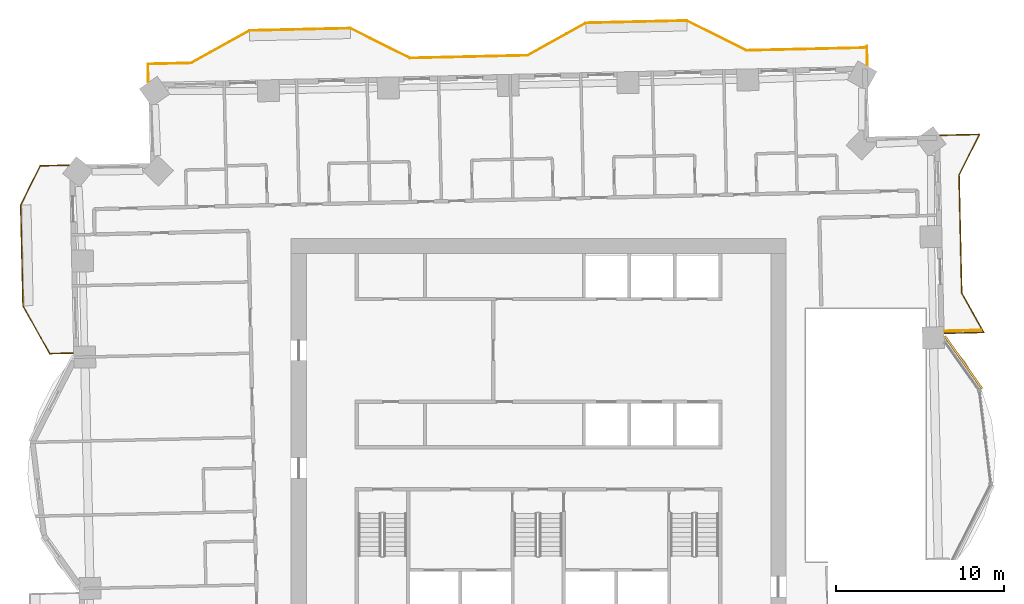
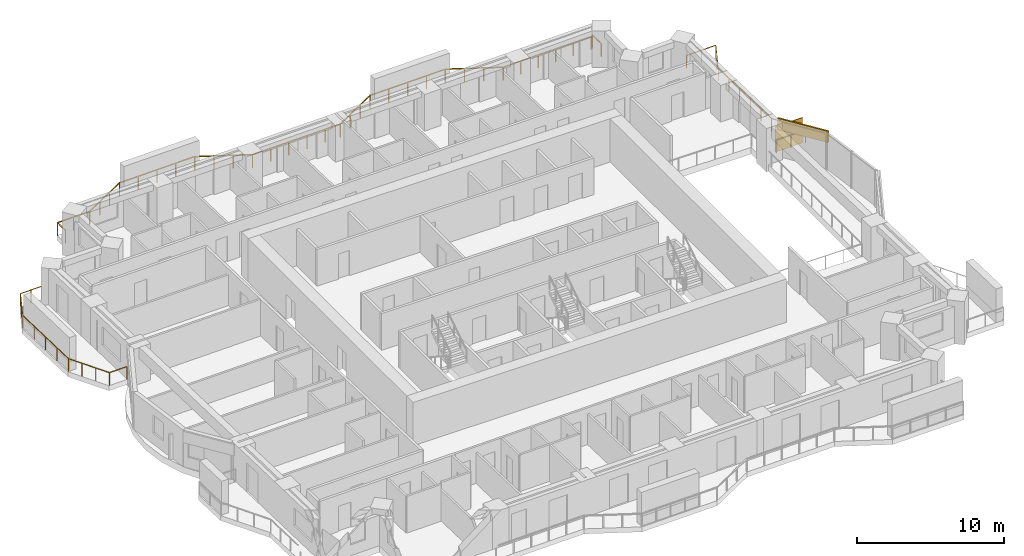
# One storey, part 16 of 16: 3 railings, 1 covering, 1 shading device.
"""IFC4 building model written with IfcOpenShell, lengths in metres."""

from ifc_helpers import new_model, si_unit, direction, frame, frame_2d, origin, origin_2d, place, context, subcontext, project, spatial, rectangle, extrude, material, layer, layer_set, type_object, element, save


model = new_model("IFC4")

# Units and contexts
model_context = context("Model", 3, precision=1e-05, world=origin(), true_north=direction((0.0, 1.0)))
body_context = subcontext(model_context, "Body", "Model", "MODEL_VIEW")
ifc_project = project(units=[si_unit("LENGTHUNIT", "METRE"), si_unit("AREAUNIT", "SQUARE_METRE"), si_unit("VOLUMEUNIT", "CUBIC_METRE"), si_unit("PLANEANGLEUNIT", "RADIAN"), si_unit("MASSUNIT", "GRAM", prefix="KILO")], contexts=[model_context])

# Site, building, storey
site_placement = place(None, origin())
site = spatial("IfcSite", under=ifc_project, at=site_placement, CompositionType="ELEMENT")
building_placement = place(site_placement, origin())
building = spatial("IfcBuilding", under=site, at=building_placement, Name="Mangrove Gate Tower", CompositionType="ELEMENT")
storey_placement = place(building_placement, frame((0.0, 0.0, 140.89990234375)))
storey = spatial("IfcBuildingStorey", under=building, at=storey_placement, Name="L35", CompositionType="ELEMENT", Elevation=140.89990234375)

# Railings
ifc_material_1 = material(Name="Stainless steel grade 316 with laminated glass infill", Category="steel")
railing_type = type_object("IfcRailingType", Name="Balcony guard 1100", PredefinedType="GUARDRAIL", material=ifc_material_1)
railing_1_placement = place(storey_placement, frame((24.14404296875, 6.06103515625, 0.0)))
element("IfcRailing", 1, at=railing_1_placement, inside=storey, type_object=railing_type, Name="GUARD L35 E2", PredefinedType="GUARDRAIL", context=body_context, shape_type="SweptSolid", body=[
    extrude(rectangle(XDim=0.048095703125, YDim=0.048095703125, at=origin_2d()), frame((0.0, 0.0, 1.076171875), z_axis=(0.999738009607, 0.022889127251, 0.0), x_axis=(-0.022889127251, 0.999738009607, 0.0)), (0.0, 0.0, 1.0), 2.314453125),
    extrude(rectangle(XDim=0.048095703125, YDim=0.048095703125, at=origin_2d()), frame((2.31396484375, 0.052978515625, 1.076171875), z_axis=(-0.487163004485, 0.873311059738, 0.0), x_axis=(-0.873311059738, -0.487163004485, 0.0)), (0.0, 0.0, 1.0), 2.68505859375),
    extrude(rectangle(XDim=0.048095703125, YDim=0.048095703125, at=origin_2d()), frame((1.005859375, 2.39794921875, 1.076171875), z_axis=(-0.022702393474, 0.999742267452, 0.0), x_axis=(-0.999742267452, -0.022702393474, 0.0)), (0.0, 0.0, 1.0), 7.000732421875),
    extrude(rectangle(XDim=0.048095703125, YDim=0.048095703125, at=origin_2d()), frame((0.846923828125, 9.39697265625, 1.076171875), z_axis=(0.447249569365, 0.894409203163, 0.0), x_axis=(-0.894409203163, 0.447249569365, 0.0)), (0.0, 0.0, 1.0), 2.714599609375),
    extrude(rectangle(XDim=0.048095703125, YDim=0.048095703125, at=origin_2d()), frame((2.06103515625, 11.824951171875, 1.076171875), z_axis=(-0.999741185646, -0.022749982937, 0.0), x_axis=(0.022749982937, -0.999741185646, 0.0)), (0.0, 0.0, 1.0), 2.32861328125),
    extrude(rectangle(XDim=0.0419921875, YDim=0.0419921875, at=origin_2d()), origin(), (0.0, 0.0, 1.0), 1.052001953125),
    extrude(rectangle(XDim=0.0419921875, YDim=0.0419921875, at=origin_2d()), frame((1.156982421875, 0.0263671875, 0.0)), (0.0, 0.0, 1.0), 1.052001953125),
    extrude(rectangle(XDim=0.0419921875, YDim=0.0419921875, at=origin_2d()), frame((2.31396484375, 0.052978515625, 0.0)), (0.0, 0.0, 1.0), 1.052001953125),
    extrude(rectangle(XDim=0.0419921875, YDim=0.0419921875, at=origin_2d()), frame((1.659912109375, 1.2255859375, 0.0)), (0.0, 0.0, 1.0), 1.052001953125),
    extrude(rectangle(XDim=0.0419921875, YDim=0.0419921875, at=origin_2d()), frame((1.005859375, 2.39794921875, 0.0)), (0.0, 0.0, 1.0), 1.052001953125),
    extrude(rectangle(XDim=0.0419921875, YDim=0.0419921875, at=origin_2d()), frame((0.97412109375, 3.7978515625, 0.0)), (0.0, 0.0, 1.0), 1.052001953125),
    extrude(rectangle(XDim=0.0419921875, YDim=0.0419921875, at=origin_2d()), frame((0.9423828125, 5.197509765625, 0.0)), (0.0, 0.0, 1.0), 1.052001953125),
    extrude(rectangle(XDim=0.0419921875, YDim=0.0419921875, at=origin_2d()), frame((0.910400390625, 6.597412109375, 0.0)), (0.0, 0.0, 1.0), 1.052001953125),
    extrude(rectangle(XDim=0.0419921875, YDim=0.0419921875, at=origin_2d()), frame((0.878662109375, 7.9970703125, 0.0)), (0.0, 0.0, 1.0), 1.052001953125),
    extrude(rectangle(XDim=0.0419921875, YDim=0.0419921875, at=origin_2d()), frame((0.846923828125, 9.39697265625, 0.0)), (0.0, 0.0, 1.0), 1.052001953125),
    extrude(rectangle(XDim=0.0419921875, YDim=0.0419921875, at=origin_2d()), frame((1.4541015625, 10.61083984375, 0.0)), (0.0, 0.0, 1.0), 1.052001953125),
    extrude(rectangle(XDim=0.0419921875, YDim=0.0419921875, at=origin_2d()), frame((2.06103515625, 11.824951171875, 0.0)), (0.0, 0.0, 1.0), 1.052001953125),
    extrude(rectangle(XDim=0.0419921875, YDim=0.0419921875, at=origin_2d()), frame((0.89697265625, 11.79833984375, 0.0)), (0.0, 0.0, 1.0), 1.052001953125),
    extrude(rectangle(XDim=0.0419921875, YDim=0.0419921875, at=origin_2d()), frame((-0.26708984375, 11.77197265625, 0.0)), (0.0, 0.0, 1.0), 1.052001953125),
])
railing_2_placement = place(storey_placement, frame((19.541015625, 21.97607421875, 0.0)))
element("IfcRailing", 2, at=railing_2_placement, inside=storey, type_object=railing_type, Name="GUARD L35 N1", PredefinedType="GUARDRAIL", context=body_context, shape_type="SweptSolid", body=[
    extrude(rectangle(XDim=0.048095703125, YDim=0.048095703125, at=origin_2d()), frame((0.0, 0.0, 1.076171875), z_axis=(-0.022711762176, 0.999742054662, 0.0), x_axis=(-0.999742054662, -0.022711762176, 0.0)), (0.0, 0.0, 1.0), 1.150146484375),
    extrude(rectangle(XDim=0.048095703125, YDim=0.048095703125, at=origin_2d()), frame((-0.026123046875, 1.14990234375, 1.076171875), z_axis=(-0.873859280974, -0.486178935224, 0.0), x_axis=(0.486178935224, -0.873859280974, 0.0)), (0.0, 0.0, 1.0), 0.193359375),
    extrude(rectangle(XDim=0.048095703125, YDim=0.048095703125, at=origin_2d()), frame((-0.195068359375, 1.055908203125, 1.076171875), z_axis=(-0.999742267452, -0.022702393474, 0.0), x_axis=(0.022702393474, -0.999742267452, 0.0)), (0.0, 0.0, 1.0), 7.000732421875),
    extrude(rectangle(XDim=0.048095703125, YDim=0.048095703125, at=origin_2d()), frame((-7.194091796875, 0.89697265625, 1.076171875), z_axis=(-0.894476522376, 0.447114919141, 0.0), x_axis=(-0.447114919141, -0.894476522376, 0.0)), (0.0, 0.0, 1.0), 3.958740234375),
    extrude(rectangle(XDim=0.048095703125, YDim=0.048095703125, at=origin_2d()), frame((-10.735107421875, 2.6669921875, 1.076171875), z_axis=(-0.999743073592, -0.022666865795, 0.0), x_axis=(0.022666865795, -0.999743073592, 0.0)), (0.0, 0.0, 1.0), 5.999267578125),
    extrude(rectangle(XDim=0.048095703125, YDim=0.048095703125, at=origin_2d()), frame((-16.73291015625, 2.531005859375, 1.076171875), z_axis=(-0.873230657876, -0.487307108654, 0.0), x_axis=(0.487307108654, -0.873230657876, 0.0)), (0.0, 0.0, 1.0), 3.958984375),
    extrude(rectangle(XDim=0.048095703125, YDim=0.048095703125, at=origin_2d()), frame((-20.18994140625, 0.601806640625, 1.076171875), z_axis=(-0.999749753172, -0.022370315877, 0.0), x_axis=(0.022370315877, -0.999749753172, 0.0)), (0.0, 0.0, 1.0), 1.200439453125),
    extrude(rectangle(XDim=0.048095703125, YDim=0.048095703125, at=origin_2d()), frame((-21.39013671875, 0.574951171875, 1.076171875), z_axis=(-0.999740704354, -0.022771123318, 0.0), x_axis=(0.022771123318, -0.999740704354, 0.0)), (0.0, 0.0, 1.0), 5.80029296875),
    extrude(rectangle(XDim=0.048095703125, YDim=0.048095703125, at=origin_2d()), frame((-27.18896484375, 0.44287109375, 1.076171875), z_axis=(-0.894476522376, 0.447114919141, 0.0), x_axis=(-0.447114919141, -0.894476522376, 0.0)), (0.0, 0.0, 1.0), 3.958740234375),
    extrude(rectangle(XDim=0.048095703125, YDim=0.048095703125, at=origin_2d()), frame((-30.72998046875, 2.212890625, 1.076171875), z_axis=(-0.999743094499, -0.022665943652, 0.0), x_axis=(0.022665943652, -0.999743094499, 0.0)), (0.0, 0.0, 1.0), 5.99951171875),
    extrude(rectangle(XDim=0.048095703125, YDim=0.048095703125, at=origin_2d()), frame((-36.72802734375, 2.076904296875, 1.076171875), z_axis=(-0.87325689943, -0.48726008209, 0.0), x_axis=(0.48726008209, -0.87325689943, 0.0)), (0.0, 0.0, 1.0), 3.958740234375),
    extrude(rectangle(XDim=0.048095703125, YDim=0.048095703125, at=origin_2d()), frame((-40.18505859375, 0.14794921875, 1.076171875), z_axis=(-0.999744912816, -0.022585599359, 0.0), x_axis=(0.022585599359, -0.999744912816, 0.0)), (0.0, 0.0, 1.0), 2.57275390625),
    extrude(rectangle(XDim=0.048095703125, YDim=0.048095703125, at=origin_2d()), frame((-42.757080078125, 0.08984375, 1.076171875), z_axis=(0.022799876723, -0.999740049023, 0.0), x_axis=(0.999740049023, 0.022799876723, 0.0)), (0.0, 0.0, 1.0), 1.06005859375),
    extrude(rectangle(XDim=0.0419921875, YDim=0.0419921875, at=origin_2d()), origin(), (0.0, 0.0, 1.0), 1.052001953125),
    extrude(rectangle(XDim=0.0419921875, YDim=0.0419921875, at=origin_2d()), frame((-0.026123046875, 1.14990234375, 0.0)), (0.0, 0.0, 1.0), 1.052001953125),
    extrude(rectangle(XDim=0.0419921875, YDim=0.0419921875, at=origin_2d()), frame((-0.195068359375, 1.055908203125, 0.0)), (0.0, 0.0, 1.0), 1.052001953125),
    extrude(rectangle(XDim=0.0419921875, YDim=0.0419921875, at=origin_2d()), frame((-1.594970703125, 1.024169921875, 0.0)), (0.0, 0.0, 1.0), 1.052001953125),
    extrude(rectangle(XDim=0.0419921875, YDim=0.0419921875, at=origin_2d()), frame((-2.99462890625, 0.992431640625, 0.0)), (0.0, 0.0, 1.0), 1.052001953125),
    extrude(rectangle(XDim=0.0419921875, YDim=0.0419921875, at=origin_2d()), frame((-4.39453125, 0.96044921875, 0.0)), (0.0, 0.0, 1.0), 1.052001953125),
    extrude(rectangle(XDim=0.0419921875, YDim=0.0419921875, at=origin_2d()), frame((-5.794189453125, 0.9287109375, 0.0)), (0.0, 0.0, 1.0), 1.052001953125),
    extrude(rectangle(XDim=0.0419921875, YDim=0.0419921875, at=origin_2d()), frame((-7.194091796875, 0.89697265625, 0.0)), (0.0, 0.0, 1.0), 1.052001953125),
    extrude(rectangle(XDim=0.0419921875, YDim=0.0419921875, at=origin_2d()), frame((-8.37451171875, 1.487060546875, 0.0)), (0.0, 0.0, 1.0), 1.052001953125),
    extrude(rectangle(XDim=0.0419921875, YDim=0.0419921875, at=origin_2d()), frame((-9.5546875, 2.076904296875, 0.0)), (0.0, 0.0, 1.0), 1.052001953125),
    extrude(rectangle(XDim=0.0419921875, YDim=0.0419921875, at=origin_2d()), frame((-10.735107421875, 2.6669921875, 0.0)), (0.0, 0.0, 1.0), 1.052001953125),
    extrude(rectangle(XDim=0.0419921875, YDim=0.0419921875, at=origin_2d()), frame((-12.234619140625, 2.633056640625, 0.0)), (0.0, 0.0, 1.0), 1.052001953125),
    extrude(rectangle(XDim=0.0419921875, YDim=0.0419921875, at=origin_2d()), frame((-13.73388671875, 2.59912109375, 0.0)), (0.0, 0.0, 1.0), 1.052001953125),
    extrude(rectangle(XDim=0.0419921875, YDim=0.0419921875, at=origin_2d()), frame((-15.2333984375, 2.56494140625, 0.0)), (0.0, 0.0, 1.0), 1.052001953125),
    extrude(rectangle(XDim=0.0419921875, YDim=0.0419921875, at=origin_2d()), frame((-16.73291015625, 2.531005859375, 0.0)), (0.0, 0.0, 1.0), 1.052001953125),
    extrude(rectangle(XDim=0.0419921875, YDim=0.0419921875, at=origin_2d()), frame((-17.88525390625, 1.887939453125, 0.0)), (0.0, 0.0, 1.0), 1.052001953125),
    extrude(rectangle(XDim=0.0419921875, YDim=0.0419921875, at=origin_2d()), frame((-19.03759765625, 1.244873046875, 0.0)), (0.0, 0.0, 1.0), 1.052001953125),
    extrude(rectangle(XDim=0.0419921875, YDim=0.0419921875, at=origin_2d()), frame((-20.18994140625, 0.601806640625, 0.0)), (0.0, 0.0, 1.0), 1.052001953125),
    extrude(rectangle(XDim=0.0419921875, YDim=0.0419921875, at=origin_2d()), frame((-21.39013671875, 0.574951171875, 0.0)), (0.0, 0.0, 1.0), 1.052001953125),
    extrude(rectangle(XDim=0.0419921875, YDim=0.0419921875, at=origin_2d()), frame((-22.83984375, 0.5419921875, 0.0)), (0.0, 0.0, 1.0), 1.052001953125),
    extrude(rectangle(XDim=0.0419921875, YDim=0.0419921875, at=origin_2d()), frame((-24.28955078125, 0.5087890625, 0.0)), (0.0, 0.0, 1.0), 1.052001953125),
    extrude(rectangle(XDim=0.0419921875, YDim=0.0419921875, at=origin_2d()), frame((-25.7392578125, 0.475830078125, 0.0)), (0.0, 0.0, 1.0), 1.052001953125),
    extrude(rectangle(XDim=0.0419921875, YDim=0.0419921875, at=origin_2d()), frame((-27.18896484375, 0.44287109375, 0.0)), (0.0, 0.0, 1.0), 1.052001953125),
    extrude(rectangle(XDim=0.0419921875, YDim=0.0419921875, at=origin_2d()), frame((-28.369384765625, 1.032958984375, 0.0)), (0.0, 0.0, 1.0), 1.052001953125),
    extrude(rectangle(XDim=0.0419921875, YDim=0.0419921875, at=origin_2d()), frame((-29.549560546875, 1.622802734375, 0.0)), (0.0, 0.0, 1.0), 1.052001953125),
    extrude(rectangle(XDim=0.0419921875, YDim=0.0419921875, at=origin_2d()), frame((-30.72998046875, 2.212890625, 0.0)), (0.0, 0.0, 1.0), 1.052001953125),
    extrude(rectangle(XDim=0.0419921875, YDim=0.0419921875, at=origin_2d()), frame((-32.2294921875, 2.178955078125, 0.0)), (0.0, 0.0, 1.0), 1.052001953125),
    extrude(rectangle(XDim=0.0419921875, YDim=0.0419921875, at=origin_2d()), frame((-33.72900390625, 2.14501953125, 0.0)), (0.0, 0.0, 1.0), 1.052001953125),
    extrude(rectangle(XDim=0.0419921875, YDim=0.0419921875, at=origin_2d()), frame((-35.228515625, 2.11083984375, 0.0)), (0.0, 0.0, 1.0), 1.052001953125),
    extrude(rectangle(XDim=0.0419921875, YDim=0.0419921875, at=origin_2d()), frame((-36.72802734375, 2.076904296875, 0.0)), (0.0, 0.0, 1.0), 1.052001953125),
    extrude(rectangle(XDim=0.0419921875, YDim=0.0419921875, at=origin_2d()), frame((-37.88037109375, 1.433837890625, 0.0)), (0.0, 0.0, 1.0), 1.052001953125),
    extrude(rectangle(XDim=0.0419921875, YDim=0.0419921875, at=origin_2d()), frame((-39.03271484375, 0.791015625, 0.0)), (0.0, 0.0, 1.0), 1.052001953125),
    extrude(rectangle(XDim=0.0419921875, YDim=0.0419921875, at=origin_2d()), frame((-40.18505859375, 0.14794921875, 0.0)), (0.0, 0.0, 1.0), 1.052001953125),
    extrude(rectangle(XDim=0.0419921875, YDim=0.0419921875, at=origin_2d()), frame((-41.47119140625, 0.118896484375, 0.0)), (0.0, 0.0, 1.0), 1.052001953125),
    extrude(rectangle(XDim=0.0419921875, YDim=0.0419921875, at=origin_2d()), frame((-42.757080078125, 0.08984375, 0.0)), (0.0, 0.0, 1.0), 1.052001953125),
    extrude(rectangle(XDim=0.0419921875, YDim=0.0419921875, at=origin_2d()), frame((-42.73291015625, -0.969970703125, 0.0)), (0.0, 0.0, 1.0), 1.052001953125),
])
railing_3_placement = place(storey_placement, frame((-27.9208984375, 16.056884765625, 0.0)))
element("IfcRailing", 3, at=railing_3_placement, inside=storey, type_object=railing_type, Name="GUARD L35 W1", PredefinedType="GUARDRAIL", context=body_context, shape_type="SweptSolid", body=[
    extrude(rectangle(XDim=0.048095703125, YDim=0.048095703125, at=origin_2d()), frame((0.0, 0.0, 1.076171875), z_axis=(-0.999750323426, -0.022344816169, 0.0), x_axis=(0.022344816169, -0.999750323426, 0.0)), (0.0, 0.0, 1.0), 1.693603515625),
    extrude(rectangle(XDim=0.048095703125, YDim=0.048095703125, at=origin_2d()), frame((-1.693115234375, -0.037841796875, 1.076171875), z_axis=(-0.447363711252, -0.894352117376, 0.0), x_axis=(0.894352117376, -0.447363711252, 0.0)), (0.0, 0.0, 1.0), 2.60205078125),
    extrude(rectangle(XDim=0.048095703125, YDim=0.048095703125, at=origin_2d()), frame((-2.857177734375, -2.364990234375, 1.076171875), z_axis=(0.02282955947, -0.999739371644, 0.0), x_axis=(0.999739371644, 0.02282955947, 0.0)), (0.0, 0.0, 1.0), 5.999267578125),
    extrude(rectangle(XDim=0.048095703125, YDim=0.048095703125, at=origin_2d()), frame((-2.72021484375, -8.36279296875, 1.076171875), z_axis=(0.487146498266, -0.873320267272, 0.0), x_axis=(0.873320267272, 0.487146498266, 0.0)), (0.0, 0.0, 1.0), 3.251953125),
    extrude(rectangle(XDim=0.048095703125, YDim=0.048095703125, at=origin_2d()), frame((-1.135986328125, -11.202880859375, 1.076171875), z_axis=(0.999735358589, 0.023004625325, 0.0), x_axis=(-0.023004625325, 0.999735358589, 0.0)), (0.0, 0.0, 1.0), 1.390380859375),
    extrude(rectangle(XDim=0.0419921875, YDim=0.0419921875, at=origin_2d()), origin(), (0.0, 0.0, 1.0), 1.052001953125),
    extrude(rectangle(XDim=0.0419921875, YDim=0.0419921875, at=origin_2d()), frame((-0.8466796875, -0.01904296875, 0.0)), (0.0, 0.0, 1.0), 1.052001953125),
    extrude(rectangle(XDim=0.0419921875, YDim=0.0419921875, at=origin_2d()), frame((-1.693115234375, -0.037841796875, 0.0)), (0.0, 0.0, 1.0), 1.052001953125),
    extrude(rectangle(XDim=0.0419921875, YDim=0.0419921875, at=origin_2d()), frame((-2.275146484375, -1.201416015625, 0.0)), (0.0, 0.0, 1.0), 1.052001953125),
    extrude(rectangle(XDim=0.0419921875, YDim=0.0419921875, at=origin_2d()), frame((-2.857177734375, -2.364990234375, 0.0)), (0.0, 0.0, 1.0), 1.052001953125),
    extrude(rectangle(XDim=0.0419921875, YDim=0.0419921875, at=origin_2d()), frame((-2.822998046875, -3.864501953125, 0.0)), (0.0, 0.0, 1.0), 1.052001953125),
    extrude(rectangle(XDim=0.0419921875, YDim=0.0419921875, at=origin_2d()), frame((-2.78857421875, -5.36376953125, 0.0)), (0.0, 0.0, 1.0), 1.052001953125),
    extrude(rectangle(XDim=0.0419921875, YDim=0.0419921875, at=origin_2d()), frame((-2.75439453125, -6.86328125, 0.0)), (0.0, 0.0, 1.0), 1.052001953125),
    extrude(rectangle(XDim=0.0419921875, YDim=0.0419921875, at=origin_2d()), frame((-2.72021484375, -8.36279296875, 0.0)), (0.0, 0.0, 1.0), 1.052001953125),
    extrude(rectangle(XDim=0.0419921875, YDim=0.0419921875, at=origin_2d()), frame((-2.192138671875, -9.3095703125, 0.0)), (0.0, 0.0, 1.0), 1.052001953125),
    extrude(rectangle(XDim=0.0419921875, YDim=0.0419921875, at=origin_2d()), frame((-1.6640625, -10.256103515625, 0.0)), (0.0, 0.0, 1.0), 1.052001953125),
    extrude(rectangle(XDim=0.0419921875, YDim=0.0419921875, at=origin_2d()), frame((-1.135986328125, -11.202880859375, 0.0)), (0.0, 0.0, 1.0), 1.052001953125),
    extrude(rectangle(XDim=0.0419921875, YDim=0.0419921875, at=origin_2d()), frame((0.25390625, -11.1708984375, 0.0)), (0.0, 0.0, 1.0), 1.052001953125),
])

# Shading device
ifc_material_2 = material(Name="Timber slat screen in teak", Category="wood")
shading_device_type = type_object("IfcShadingDeviceType", Name="Balcony screen 2100", PredefinedType="USERDEFINED", material=ifc_material_2)
shading_device_placement = place(storey_placement, frame((25.218017578125, 6.22607421875, 0.0), z_axis=(0.0, 0.0, 1.0), x_axis=(0.999736234843, 0.022966513488, 0.0)))
element("IfcShadingDevice", 4, at=shading_device_placement, inside=storey, type_object=shading_device_type, Name="SCREEN L35 E1", ObjectType="SCREEN", PredefinedType="USERDEFINED", context=body_context, shape_type="SweptSolid", body=[
    extrude(rectangle(XDim=2.195068359375, YDim=0.050048828125, at=origin_2d()), origin(), (0.0, 0.0, 1.0), 2.10009765625),
])

# Covering
ifc_material_3 = material(Name="Limestone", Category="masonry")
ifc_layer_1 = layer(ifc_material_3, 0.0400390625, Name="Limestone cladding")
ifc_material_4 = material(Name="Stainless steel anchors and cavity", Category="steel")
ifc_layer_2 = layer(ifc_material_4, 0.080078125, Name="Fixing cavity")
ifc_layer_set = layer_set([ifc_layer_1, ifc_layer_2], Name="Joint fascia cladding 120")
covering_type = type_object("IfcCoveringType", Name="Joint fascia cladding 120", PredefinedType="CLADDING", material=ifc_layer_set)
covering_placement = place(storey_placement, frame((26.35888671875, 2.77490234375, 2.10009765625), z_axis=(0.0, 0.0, 1.0), x_axis=(-0.578137942148, 0.815939041748, 0.0)))
element("IfcCovering", 5, at=covering_placement, inside=storey, type_object=covering_type, Name="STONE FASCIA L35 E1.L2", PredefinedType="CLADDING", context=body_context, shape_type="SweptSolid", body=[
    extrude(rectangle(XDim=3.819091796875, YDim=0.1201171875, at=frame_2d((1.90966796875, 0.0))), origin(), (0.0, 0.0, 1.0), 0.949951171875),
])

save(model, "model.ifc")
